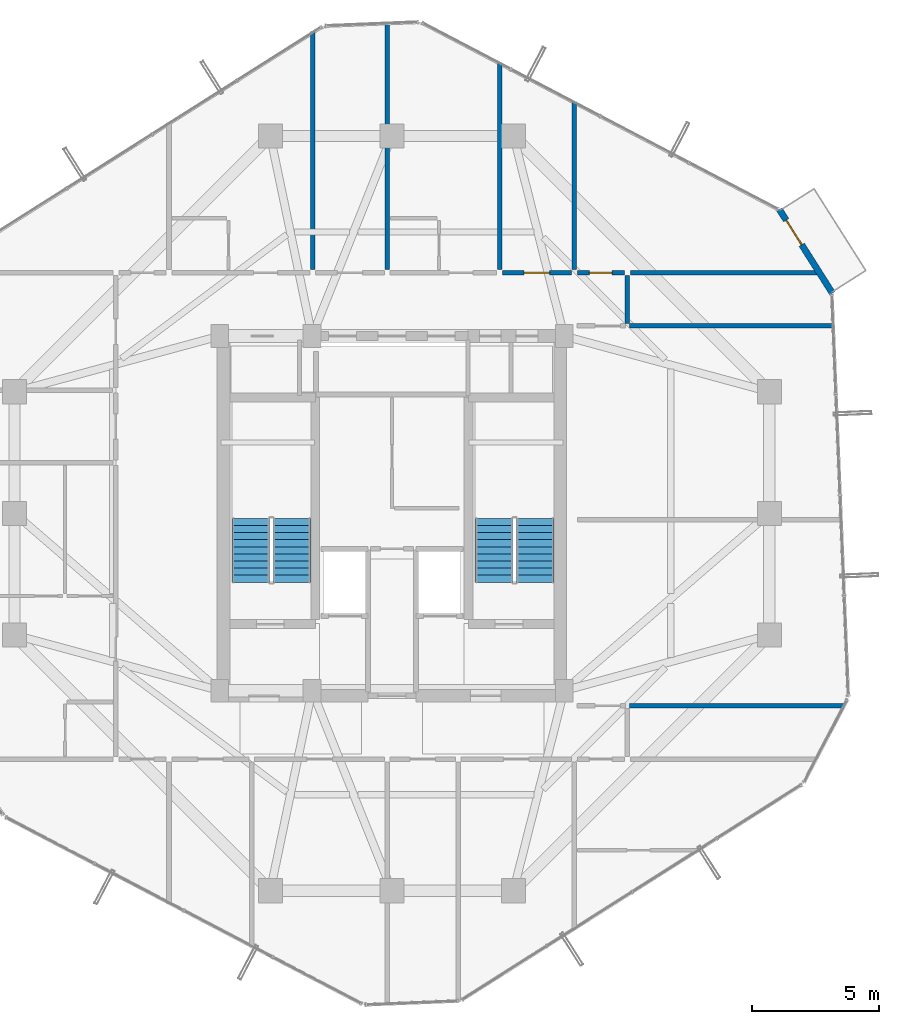
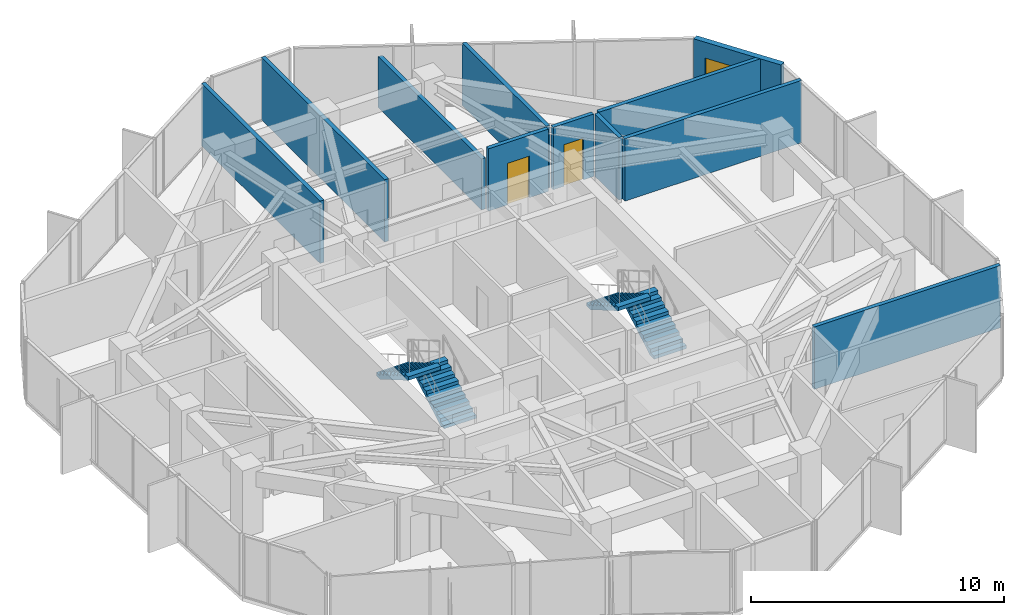
# One storey, part 31 of 33: 11 walls, 4 stair flights, 3 doors, 3 openings, 2 elements without a shape of their own.
"""IFC4 building model written with IfcOpenShell, lengths in metres."""

from ifc_helpers import new_model, si_unit, direction, frame, frame_2d, origin, place, context, subcontext, project, spatial, polyline, rectangle, outline, extrude, source, transform, mapped, material, layer, layer_set, type_object, element, fill, aggregate, save


model = new_model("IFC4")

# Units and contexts
model_context = context("Model", 3, precision=1e-05, world=origin(), true_north=direction((0.0, 1.0)))
body_context = subcontext(model_context, "Body", "Model", "MODEL_VIEW")
ifc_project = project(units=[si_unit("LENGTHUNIT", "METRE"), si_unit("AREAUNIT", "SQUARE_METRE"), si_unit("VOLUMEUNIT", "CUBIC_METRE"), si_unit("PLANEANGLEUNIT", "RADIAN"), si_unit("MASSUNIT", "GRAM", prefix="KILO")], contexts=[model_context])

# Site, building, storey
site_placement = place(None, origin())
site = spatial("IfcSite", under=ifc_project, at=site_placement, CompositionType="ELEMENT")
building_placement = place(site_placement, origin())
building = spatial("IfcBuilding", under=site, at=building_placement, Name="Veraguas Prism Commons", CompositionType="ELEMENT")
storey_placement = place(building_placement, frame((0.0, 0.0, 198.35009765625)))
storey = spatial("IfcBuildingStorey", under=building, at=storey_placement, Name="L56", CompositionType="ELEMENT", Elevation=198.35009765625)

# Walls
ifc_material_1 = material(Name="Autoclaved aerated masonry block 10 MPa", Category="masonry")
ifc_layer_1 = layer(ifc_material_1, 0.179931640625, Name="Corridor and Inter-Tenancy Partition 180", Category="masonry")
ifc_layer_set_1 = layer_set([ifc_layer_1], Name="Autoclaved aerated masonry block 10 MPa")
wall_type_1 = type_object("IfcWallType", Name="Corridor and Inter-Tenancy Partition 180", PredefinedType="PARTITIONING", material=ifc_layer_set_1)
wall_1_placement = place(storey_placement, frame((31.199951171875, 33.6201171875, 0.0), z_axis=(0.0, 0.0, 1.0), x_axis=(0.0, 1.0, 0.0)))
element("IfcWall", 1, at=wall_1_placement, inside=storey, type_object=wall_type_1, Name="WL-L56-PT011", PredefinedType="PARTITIONING", context=body_context, shape_type="SweptSolid", body=[
    extrude(rectangle(XDim=6.635498046875, YDim=0.179931640625, at=frame_2d((3.31787109375, 0.0))), origin(), (0.0, 0.0, 1.0), 3.014892578125),
])
wall_2_placement = place(storey_placement, frame((20.8701171875, 33.6201171875, 0.0), z_axis=(0.0, 0.0, 1.0), x_axis=(0.0, 1.0, 0.0)))
element("IfcWall", 2, at=wall_2_placement, inside=storey, type_object=wall_type_1, Name="WL-L56-PT013", PredefinedType="PARTITIONING", context=body_context, shape_type="SweptSolid", body=[
    extrude(rectangle(XDim=9.395263671875, YDim=0.179931640625, at=frame_2d((4.69775390625, 0.0))), origin(), (0.0, 0.0, 1.0), 3.014892578125),
])
wall_3_placement = place(storey_placement, frame((23.820068359375, 33.6201171875, 0.0), z_axis=(0.0, 0.0, 1.0), x_axis=(0.0, 1.0, 0.0)))
element("IfcWall", 3, at=wall_3_placement, inside=storey, type_object=wall_type_1, Name="WL-L56-PT017", PredefinedType="PARTITIONING", context=body_context, shape_type="SweptSolid", body=[
    extrude(rectangle(XDim=9.761962890625, YDim=0.179931640625, at=frame_2d((4.880859375, 0.0))), origin(), (0.0, 0.0, 1.0), 3.014892578125),
])

# Wall, opening, door
wall_4_placement = place(storey_placement, frame((28.360107421875, 33.5, 0.0), z_axis=(0.0, 0.0, 1.0), x_axis=(1.0, 0.0, 0.0)))
wall_4 = element("IfcWall", 4, at=wall_4_placement, inside=storey, type_object=wall_type_1, Name="WL-L56-PT018", PredefinedType="PARTITIONING", context=body_context, shape_type="SweptSolid", body=[
    extrude(rectangle(XDim=2.72998046875, YDim=0.179931640625, at=frame_2d((1.364990234375, 0.0))), origin(), (0.0, 0.0, 1.0), 3.014892578125),
])
opening_1_placement = place(wall_4_placement, frame((0.864990234375, 0.0, 0.0)))
opening_1 = element("IfcOpeningElement", 5, at=opening_1_placement, cuts=wall_4, Name="Opening DR-13", PredefinedType="OPENING", context=body_context, shape_type="SweptSolid", body=[
    extrude(rectangle(XDim=1.0, YDim=2.010009765625, at=frame_2d((0.5, 1.0048828125))), frame((0.0, 0.099853515625, 0.0), z_axis=(0.0, -1.0, 0.0), x_axis=(1.0, 0.0, 0.0)), (0.0, 0.0, 1.0), 0.199951171875),
])
ifc_material_2 = material(Name="Steel fire-rated door assembly", Category="steel")
door_type_1 = type_object("IfcDoorType", Name="Core Accessible WC and Clinic Fire Door 1000x2010", OperationType="NOTDEFINED", PredefinedType="DOOR", material=ifc_material_2)
shared_shape_1 = source(origin(), body_context, "Body", "SweptSolid", [
    extrude(rectangle(XDim=1.0, YDim=2.010009765625, at=frame_2d((0.5, 1.0048828125))), frame((0.0, 0.02490234375, 0.0), z_axis=(0.0, -1.0, 0.0), x_axis=(1.0, 0.0, 0.0)), (0.0, 0.0, 1.0), 0.050048828125),
])
door_1_placement = place(opening_1_placement, origin())
door_1 = element("IfcDoor", 6, at=door_1_placement, inside=storey, type_object=door_type_1, Name="Quiet Study N Door", OperationType="SINGLE_SWING_LEFT", OverallHeight=2.010009765625, OverallWidth=1.0, PredefinedType="DOOR", context=body_context, shape_type="MappedRepresentation", body=[
    mapped(shared_shape_1, transform((0.0, 0.0, 0.0), scale=1.0)),
])
fill(opening_1, door_1)

# Walls
wall_5_placement = place(storey_placement, frame((28.25, 33.6201171875, 0.0), z_axis=(0.0, 0.0, 1.0), x_axis=(0.0, 1.0, 0.0)))
element("IfcWall", 7, at=wall_5_placement, inside=storey, type_object=wall_type_1, Name="WL-L56-PT019", PredefinedType="PARTITIONING", context=body_context, shape_type="SweptSolid", body=[
    extrude(rectangle(XDim=8.181640625, YDim=0.179931640625, at=frame_2d((4.0908203125, 0.0))), origin(), (0.0, 0.0, 1.0), 2.468994140625),
])
wall_6_placement = place(storey_placement, frame((33.300048828125, 31.5, 0.0), z_axis=(0.0, 0.0, 1.0), x_axis=(0.0, 1.0, 0.0)))
element("IfcWall", 8, at=wall_6_placement, inside=storey, type_object=wall_type_1, Name="WL-L56-PT037", PredefinedType="PARTITIONING", context=body_context, shape_type="SweptSolid", body=[
    extrude(rectangle(XDim=1.89990234375, YDim=0.179931640625, at=frame_2d((0.949951171875, 0.0))), origin(), (0.0, 0.0, 1.0), 3.014892578125),
])
wall_7_placement = place(storey_placement, frame((33.3798828125, 16.39990234375, 0.0), z_axis=(0.0, 0.0, 1.0), x_axis=(1.0, 0.0, 0.0)))
element("IfcWall", 9, at=wall_7_placement, inside=storey, type_object=wall_type_1, Name="WL-L56-PT039", PredefinedType="PARTITIONING", context=body_context, shape_type="SweptSolid", body=[
    extrude(rectangle(XDim=8.509521484375, YDim=0.179931640625, at=frame_2d((4.2548828125, 0.0))), origin(), (0.0, 0.0, 1.0), 3.014892578125),
])
wall_8_placement = place(storey_placement, frame((33.3798828125, 31.39990234375, 0.0), z_axis=(0.0, 0.0, 1.0), x_axis=(1.0, 0.0, 0.0)))
element("IfcWall", 10, at=wall_8_placement, inside=storey, type_object=wall_type_1, Name="WL-L56-PT041", PredefinedType="PARTITIONING", context=body_context, shape_type="SweptSolid", body=[
    extrude(rectangle(XDim=8.07275390625, YDim=0.179931640625, at=frame_2d((4.036376953125, 0.0))), origin(), (0.0, 0.0, 1.0), 3.014892578125),
])
wall_9_placement = place(storey_placement, frame((33.419921875, 33.5, 0.0), z_axis=(0.0, 0.0, 1.0), x_axis=(1.0, 0.0, 0.0)))
element("IfcWall", 11, at=wall_9_placement, inside=storey, type_object=wall_type_1, Name="WL-L56-PT047", PredefinedType="PARTITIONING", context=body_context, shape_type="SweptSolid", body=[
    extrude(rectangle(XDim=7.494873046875, YDim=0.179931640625, at=frame_2d((3.74755859375, 0.0))), origin(), (0.0, 0.0, 1.0), 3.014892578125),
])

# Wall, opening, door
wall_10_placement = place(storey_placement, frame((31.320068359375, 33.5, 0.0), z_axis=(0.0, 0.0, 1.0), x_axis=(1.0, 0.0, 0.0)))
wall_10 = element("IfcWall", 12, at=wall_10_placement, inside=storey, type_object=wall_type_1, Name="WL-L56-PT048", PredefinedType="PARTITIONING", context=body_context, shape_type="SweptSolid", body=[
    extrude(rectangle(XDim=1.85986328125, YDim=0.179931640625, at=frame_2d((0.929931640625, 0.0))), origin(), (0.0, 0.0, 1.0), 3.014892578125),
])
opening_2_placement = place(wall_10_placement, frame((0.47998046875, 0.0, 0.0)))
opening_2 = element("IfcOpeningElement", 13, at=opening_2_placement, cuts=wall_10, Name="Opening DR-14", PredefinedType="OPENING", context=body_context, shape_type="SweptSolid", body=[
    extrude(rectangle(XDim=0.89990234375, YDim=2.010009765625, at=frame_2d((0.449951171875, 1.0048828125))), frame((0.0, 0.099853515625, 0.0), z_axis=(0.0, -1.0, 0.0), x_axis=(1.0, 0.0, 0.0)), (0.0, 0.0, 1.0), 0.199951171875),
])
door_type_2 = type_object("IfcDoorType", Name="Core Service Room Fire Door 900x2010", OperationType="NOTDEFINED", PredefinedType="DOOR", material=ifc_material_2)
shared_shape_2 = source(origin(), body_context, "Body", "SweptSolid", [
    extrude(rectangle(XDim=0.89990234375, YDim=2.010009765625, at=frame_2d((0.449951171875, 1.0048828125))), frame((0.0, 0.02490234375, 0.0), z_axis=(0.0, -1.0, 0.0), x_axis=(1.0, 0.0, 0.0)), (0.0, 0.0, 1.0), 0.050048828125),
])
door_2_placement = place(opening_2_placement, origin())
door_2 = element("IfcDoor", 14, at=door_2_placement, inside=storey, type_object=door_type_2, Name="Residents Corner Study Room NE Door", OperationType="SINGLE_SWING_RIGHT", OverallHeight=2.010009765625, OverallWidth=0.89990234375, PredefinedType="DOOR", context=body_context, shape_type="MappedRepresentation", body=[
    mapped(shared_shape_2, transform((0.0, 0.0, 0.0), scale=1.0)),
])
fill(opening_2, door_2)

ifc_material_3 = material(Name="Precast concrete C40/50", Category="concrete")
ifc_layer_2 = layer(ifc_material_3, 0.25, Name="External Loggia and Portal Wall 250", Category="concrete")
ifc_layer_set_2 = layer_set([ifc_layer_2], Name="Precast concrete C40/50")
wall_type_2 = type_object("IfcWallType", Name="External Loggia and Portal Wall 250", PredefinedType="SOLIDWALL", material=ifc_layer_set_2)
wall_11_placement = place(storey_placement, frame((41.389892578125, 32.69384765625, 0.0), z_axis=(0.0, 0.0, 1.0), x_axis=(-0.534928922518, 0.844897063466, 0.0)))
wall_11 = element("IfcWall", 15, at=wall_11_placement, inside=storey, type_object=wall_type_2, Name="Corner Loggia Wall L56-C1", PredefinedType="SOLIDWALL", context=body_context, shape_type="SweptSolid", body=[
    extrude(rectangle(XDim=3.91455078125, YDim=0.25, at=frame_2d((1.957275390625, 0.0))), origin(), (0.0, 0.0, 1.0), 3.014892578125),
])
opening_3_placement = place(wall_11_placement, frame((2.260009765625, 0.0, 0.0)))
opening_3 = element("IfcOpeningElement", 16, at=opening_3_placement, cuts=wall_11, Name="Opening DR-10", PredefinedType="OPENING", context=body_context, shape_type="SweptSolid", body=[
    extrude(rectangle(XDim=1.14990234375, YDim=2.25, at=frame_2d((0.574951171875, 1.125))), frame((0.0, 0.135009765625, 0.0), z_axis=(0.0, -1.0, 0.0), x_axis=(1.0, 0.0, 0.0)), (0.0, 0.0, 1.0), 0.27001953125),
])
ifc_material_4 = material(Name="Anodised aluminium EN AW-6063 T6", Category="aluminium")
door_type_3 = type_object("IfcDoorType", Name="Glazed Loggia and Terrace Door 1150x2250", OperationType="NOTDEFINED", PredefinedType="DOOR", material=ifc_material_4)
shared_shape_3 = source(origin(), body_context, "Body", "SweptSolid", [
    extrude(rectangle(XDim=1.14990234375, YDim=2.25, at=frame_2d((0.574951171875, 1.125))), frame((0.0, 0.02490234375, 0.0), z_axis=(0.0, -1.0, 0.0), x_axis=(1.0, 0.0, 0.0)), (0.0, 0.0, 1.0), 0.050048828125),
])
door_3_placement = place(opening_3_placement, frame((1.14990234375, 0.0, 0.0), z_axis=(0.0, 0.0, 1.0), x_axis=(-1.0, 0.0, 0.0)))
door_3 = element("IfcDoor", 17, at=door_3_placement, inside=storey, type_object=door_type_3, Name="Recessed Loggia Door L56-C1", OperationType="SINGLE_SWING_RIGHT", OverallHeight=2.25, OverallWidth=1.14990234375, PredefinedType="DOOR", context=body_context, shape_type="MappedRepresentation", body=[
    mapped(shared_shape_3, transform((0.0, 0.0, 0.0), scale=1.0)),
])
fill(opening_3, door_3)

# Stair, stair flights
ifc_material_5 = material(Name="Precast concrete C45/55", Category="concrete")
stair_type = type_object("IfcStairType", Name="Dogleg Core Stair 1480W 20R 05", PredefinedType="HALF_TURN_STAIR", material=ifc_material_5)
stair_1_placement = place(storey_placement, origin())
stair_1 = element("IfcStair", 18, at=stair_1_placement, inside=storey, type_object=stair_type, Name="Protected Exit Stair ST-01 L56", PredefinedType="HALF_TURN_STAIR")
stair_flight_type = type_object("IfcStairFlightType", Name="Precast Stair Flight 1480W 10R 05", PredefinedType="STRAIGHT", material=ifc_material_5)
stair_flight_1_placement = place(storey_placement, frame((20.06005859375, 21.280029296875, 0.0), z_axis=(0.0, 0.0, 1.0), x_axis=(0.0, 1.0, 0.0)))
stair_flight_1 = element("IfcStairFlight", 19, at=stair_flight_1_placement, type_object=stair_flight_type, Name="ST-05 Flight 1", NumberOfRisers=10, NumberOfTreads=9, PredefinedType="STRAIGHT", RiserHeight=0.1625, TreadLength=0.28, context=body_context, shape_type="SweptSolid", body=[
    extrude(outline(polyline([(0.0, 0.0), (0.0, 0.16259765625), (0.280029296875, 0.16259765625), (0.280029296875, 0.324951171875), (0.56005859375, 0.324951171875), (0.56005859375, 0.487548828125), (0.840087890625, 0.487548828125), (0.840087890625, 0.64990234375), (1.1201171875, 0.64990234375), (1.1201171875, 0.8125), (1.39990234375, 0.8125), (1.39990234375, 0.97509765625), (1.679931640625, 0.97509765625), (1.679931640625, 1.137451171875), (1.9599609375, 1.137451171875), (1.9599609375, 1.300048828125), (2.239990234375, 1.300048828125), (2.239990234375, 1.46240234375), (2.52001953125, 1.46240234375), (2.52001953125, 1.625), (2.52001953125, 1.2890625), (0.298583984375, 0.0), (0.0, 0.0)])), frame((0.0, 0.739990234375, 0.0), z_axis=(0.0, -1.0, 0.0), x_axis=(1.0, 0.0, 0.0)), (0.0, 0.0, 1.0), 1.47998046875),
])
stair_flight_2_placement = place(storey_placement, frame((18.429931640625, 23.800048828125, 1.625), z_axis=(0.0, 0.0, 1.0), x_axis=(0.0, -1.0, 0.0)))
stair_flight_2 = element("IfcStairFlight", 20, at=stair_flight_2_placement, type_object=stair_flight_type, Name="ST-05 Flight 2", NumberOfRisers=10, NumberOfTreads=9, PredefinedType="STRAIGHT", RiserHeight=0.1625, TreadLength=0.28, context=body_context, shape_type="SweptSolid", body=[
    extrude(outline(polyline([(0.0, 0.0), (0.0, 0.16259765625), (0.280029296875, 0.16259765625), (0.280029296875, 0.324951171875), (0.56005859375, 0.324951171875), (0.56005859375, 0.487548828125), (0.840087890625, 0.487548828125), (0.840087890625, 0.64990234375), (1.1201171875, 0.64990234375), (1.1201171875, 0.8125), (1.39990234375, 0.8125), (1.39990234375, 0.97509765625), (1.679931640625, 0.97509765625), (1.679931640625, 1.137451171875), (1.9599609375, 1.137451171875), (1.9599609375, 1.300048828125), (2.239990234375, 1.300048828125), (2.239990234375, 1.46240234375), (2.52001953125, 1.46240234375), (2.52001953125, 1.625), (2.52001953125, 1.2890625), (0.298583984375, 0.0), (0.0, 0.0)])), frame((0.0, 0.739990234375, 0.0), z_axis=(0.0, -1.0, 0.0), x_axis=(1.0, 0.0, 0.0)), (0.0, 0.0, 1.0), 1.47998046875),
])
aggregate(stair_1, [stair_flight_1, stair_flight_2])

stair_2_placement = place(storey_placement, origin())
stair_2 = element("IfcStair", 21, at=stair_2_placement, inside=storey, type_object=stair_type, Name="Protected Exit Stair ST-02 L56", PredefinedType="HALF_TURN_STAIR")
stair_flight_3_placement = place(storey_placement, frame((29.659912109375, 21.280029296875, 0.0), z_axis=(0.0, 0.0, 1.0), x_axis=(0.0, 1.0, 0.0)))
stair_flight_3 = element("IfcStairFlight", 22, at=stair_flight_3_placement, type_object=stair_flight_type, Name="ST-05 Flight 1", NumberOfRisers=10, NumberOfTreads=9, PredefinedType="STRAIGHT", RiserHeight=0.1625, TreadLength=0.28, context=body_context, shape_type="SweptSolid", body=[
    extrude(outline(polyline([(0.0, 0.0), (0.0, 0.16259765625), (0.280029296875, 0.16259765625), (0.280029296875, 0.324951171875), (0.56005859375, 0.324951171875), (0.56005859375, 0.487548828125), (0.840087890625, 0.487548828125), (0.840087890625, 0.64990234375), (1.1201171875, 0.64990234375), (1.1201171875, 0.8125), (1.39990234375, 0.8125), (1.39990234375, 0.97509765625), (1.679931640625, 0.97509765625), (1.679931640625, 1.137451171875), (1.9599609375, 1.137451171875), (1.9599609375, 1.300048828125), (2.239990234375, 1.300048828125), (2.239990234375, 1.46240234375), (2.52001953125, 1.46240234375), (2.52001953125, 1.625), (2.52001953125, 1.2890625), (0.298583984375, 0.0), (0.0, 0.0)])), frame((0.0, 0.739990234375, 0.0), z_axis=(0.0, -1.0, 0.0), x_axis=(1.0, 0.0, 0.0)), (0.0, 0.0, 1.0), 1.47998046875),
])
stair_flight_4_placement = place(storey_placement, frame((28.030029296875, 23.800048828125, 1.625), z_axis=(0.0, 0.0, 1.0), x_axis=(0.0, -1.0, 0.0)))
stair_flight_4 = element("IfcStairFlight", 23, at=stair_flight_4_placement, type_object=stair_flight_type, Name="ST-05 Flight 2", NumberOfRisers=10, NumberOfTreads=9, PredefinedType="STRAIGHT", RiserHeight=0.1625, TreadLength=0.28, context=body_context, shape_type="SweptSolid", body=[
    extrude(outline(polyline([(0.0, 0.0), (0.0, 0.16259765625), (0.280029296875, 0.16259765625), (0.280029296875, 0.324951171875), (0.56005859375, 0.324951171875), (0.56005859375, 0.487548828125), (0.840087890625, 0.487548828125), (0.840087890625, 0.64990234375), (1.1201171875, 0.64990234375), (1.1201171875, 0.8125), (1.39990234375, 0.8125), (1.39990234375, 0.97509765625), (1.679931640625, 0.97509765625), (1.679931640625, 1.137451171875), (1.9599609375, 1.137451171875), (1.9599609375, 1.300048828125), (2.239990234375, 1.300048828125), (2.239990234375, 1.46240234375), (2.52001953125, 1.46240234375), (2.52001953125, 1.625), (2.52001953125, 1.2890625), (0.298583984375, 0.0), (0.0, 0.0)])), frame((0.0, 0.739990234375, 0.0), z_axis=(0.0, -1.0, 0.0), x_axis=(1.0, 0.0, 0.0)), (0.0, 0.0, 1.0), 1.47998046875),
])
aggregate(stair_2, [stair_flight_3, stair_flight_4])

save(model, "model.ifc")
